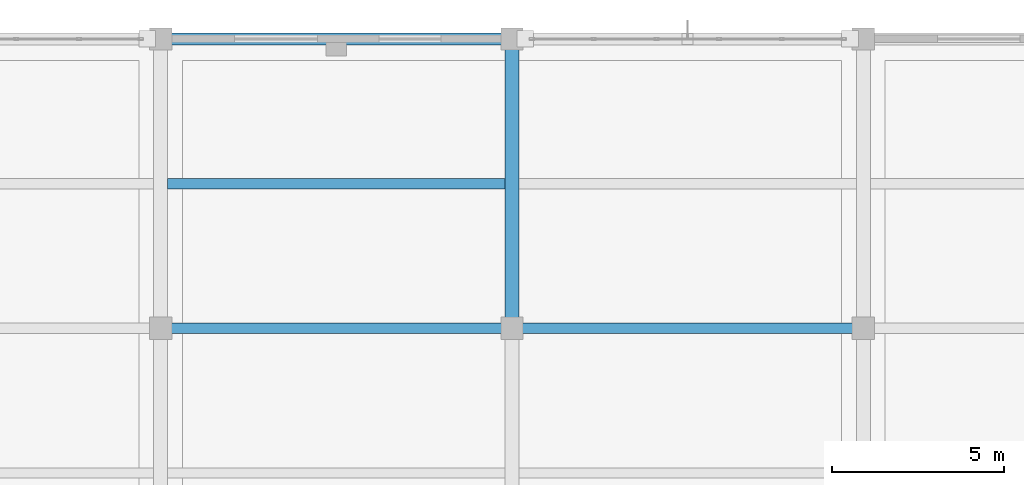
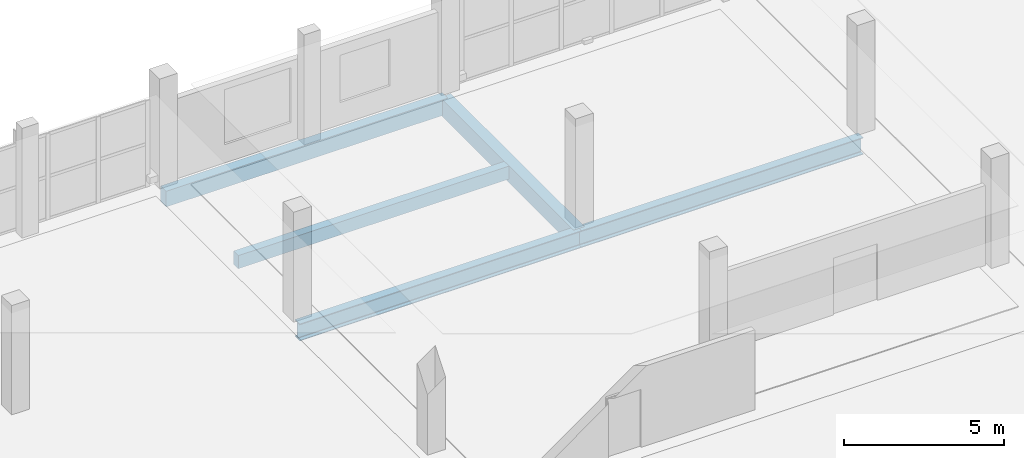
# One storey, part 101 of 135: 5 beams.
"""IFC4 building model written with IfcOpenShell, lengths in metres."""

from ifc_helpers import new_model, si_unit, direction, frame, origin, origin_2d, place, context, subcontext, project, spatial, rectangle, i_section, extrude, material, material_profile, profile_set, type_object, element, save


model = new_model("IFC4")

# Units and contexts
model_context = context("Model", 3, precision=1e-05, world=origin(), true_north=direction((0.0, 1.0)))
body_context = subcontext(model_context, "Body", "Model", "MODEL_VIEW")
ifc_project = project(units=[si_unit("LENGTHUNIT", "METRE"), si_unit("AREAUNIT", "SQUARE_METRE"), si_unit("VOLUMEUNIT", "CUBIC_METRE"), si_unit("PLANEANGLEUNIT", "RADIAN"), si_unit("MASSUNIT", "GRAM", prefix="KILO")], contexts=[model_context])

# Site, building, storey
site_placement = place(None, origin())
site = spatial("IfcSite", under=ifc_project, at=site_placement, CompositionType="ELEMENT")
building_placement = place(site_placement, origin())
building = spatial("IfcBuilding", under=site, at=building_placement, Name="Brelvane Convention Centre", CompositionType="ELEMENT")
storey_placement = place(building_placement, frame((0.0, 0.0, 15.0)))
storey = spatial("IfcBuildingStorey", under=building, at=storey_placement, Name="L03", CompositionType="ELEMENT", Elevation=15.0)

# Beams
ifc_material_1 = material(Name="Concrete M40", Category="concrete")
ifc_material_profile_1 = material_profile(ifc_material_1, rectangle(XDim=0.39990234375, YDim=0.64990234375, at=origin_2d()), Name="RC 400x650")
ifc_profile_set_1 = profile_set([ifc_material_profile_1], Name="Concrete M40")
beam_type_1 = type_object("IfcBeamType", Name="RC Beam B-RC7 (RC 400x650)", PredefinedType="BEAM", material=ifc_profile_set_1)
beam_1_placement = place(storey_placement, frame((71.39990234375, 135.60009765625, -0.6201171875), z_axis=(0.0, 1.0, 0.0), x_axis=(-1.0, 0.0, 0.0)))
element("IfcBeam", 1, at=beam_1_placement, inside=storey, type_object=beam_type_1, Name="L03 Girder 8/P-Q", PredefinedType="BEAM", context=body_context, shape_type="SweptSolid", body=[
    extrude(rectangle(XDim=0.39990234375, YDim=0.64990234375, at=origin_2d()), origin(), (0.0, 0.0, 1.0), 8.39990234375),
])
ifc_material_2 = material(Name="Concrete M40", Category="concrete")
ifc_material_profile_2 = material_profile(ifc_material_2, rectangle(XDim=0.300048828125, YDim=0.5, at=origin_2d()), Name="RC 300x500")
ifc_profile_set_2 = profile_set([ifc_material_profile_2], Name="Concrete M40")
beam_type_2 = type_object("IfcBeamType", Name="RC Joist J-RC2 (RC 300x500)", PredefinedType="JOIST", material=ifc_profile_set_2)
beam_2_placement = place(storey_placement, frame((61.39990234375, 139.800048828125, -0.544921875), z_axis=(1.0, 0.0, 0.0), x_axis=(0.0, 1.0, 0.0)))
element("IfcBeam", 2, at=beam_2_placement, inside=storey, type_object=beam_type_2, Name="L03 Secondary Joist 7-8/PQ", PredefinedType="JOIST", context=body_context, shape_type="SweptSolid", body=[
    extrude(rectangle(XDim=0.300048828125, YDim=0.5, at=origin_2d()), origin(), (0.0, 0.0, 1.0), 9.800048828125),
])
ifc_material_3 = material(Name="Concrete M40", Category="concrete")
ifc_material_profile_3 = material_profile(ifc_material_3, rectangle(XDim=0.35009765625, YDim=0.60009765625, at=origin_2d()), Name="RC 350x600")
ifc_profile_set_3 = profile_set([ifc_material_profile_3], Name="Concrete M40")
beam_type_3 = type_object("IfcBeamType", Name="RC Spandrel SP-RC2 (RC 350x600)", PredefinedType="SPANDREL", material=ifc_profile_set_3)
beam_3_placement = place(storey_placement, frame((61.199951171875, 144.0, -0.594970703125), z_axis=(1.0, 0.0, 0.0), x_axis=(0.0, 1.0, 0.0)))
element("IfcBeam", 3, at=beam_3_placement, inside=storey, type_object=beam_type_3, Name="L03 Beam 7-8/Q", PredefinedType="SPANDREL", context=body_context, shape_type="SweptSolid", body=[
    extrude(rectangle(XDim=0.35009765625, YDim=0.60009765625, at=origin_2d()), origin(), (0.0, 0.0, 1.0), 10.199951171875),
])
ifc_material_4 = material(Name="Steel E350 (350 MPa)", Category="steel")
ifc_material_profile_4 = material_profile(ifc_material_4, i_section(OverallWidth=0.300048828125, OverallDepth=0.64990234375, WebThickness=0.014404296875, FlangeThickness=0.02587890625, FilletRadius=0.02392578125, at=origin_2d()), Name="NPB 650x300")
ifc_profile_set_4 = profile_set([ifc_material_profile_4], Name="Steel E350 (350 MPa)")
beam_type_4 = type_object("IfcBeamType", Name="Steel Beam B-ST4 (NPB 650x300)", PredefinedType="BEAM", material=ifc_profile_set_4)
beam_4_placement = place(storey_placement, frame((61.199951171875, 135.60009765625, -0.6201171875), z_axis=(1.0, 0.0, 0.0), x_axis=(0.0, 1.0, 0.0)))
element("IfcBeam", 4, at=beam_4_placement, inside=storey, type_object=beam_type_4, Name="L03 Beam 7-8/P", PredefinedType="BEAM", context=body_context, shape_type="SweptSolid", body=[
    extrude(i_section(OverallWidth=0.300048828125, OverallDepth=0.64990234375, WebThickness=0.014404296875, FlangeThickness=0.02587890625, FilletRadius=0.02392578125, at=origin_2d()), origin(), (0.0, 0.0, 1.0), 10.199951171875),
])
beam_5_placement = place(storey_placement, frame((71.39990234375, 135.60009765625, -0.6201171875), z_axis=(1.0, 0.0, 0.0), x_axis=(0.0, 1.0, 0.0)))
element("IfcBeam", 5, at=beam_5_placement, inside=storey, type_object=beam_type_4, Name="L03 Beam 8-9/P", PredefinedType="BEAM", context=body_context, shape_type="SweptSolid", body=[
    extrude(i_section(OverallWidth=0.300048828125, OverallDepth=0.64990234375, WebThickness=0.014404296875, FlangeThickness=0.02587890625, FilletRadius=0.02392578125, at=origin_2d()), origin(), (0.0, 0.0, 1.0), 10.2001953125),
])

save(model, "model.ifc")
